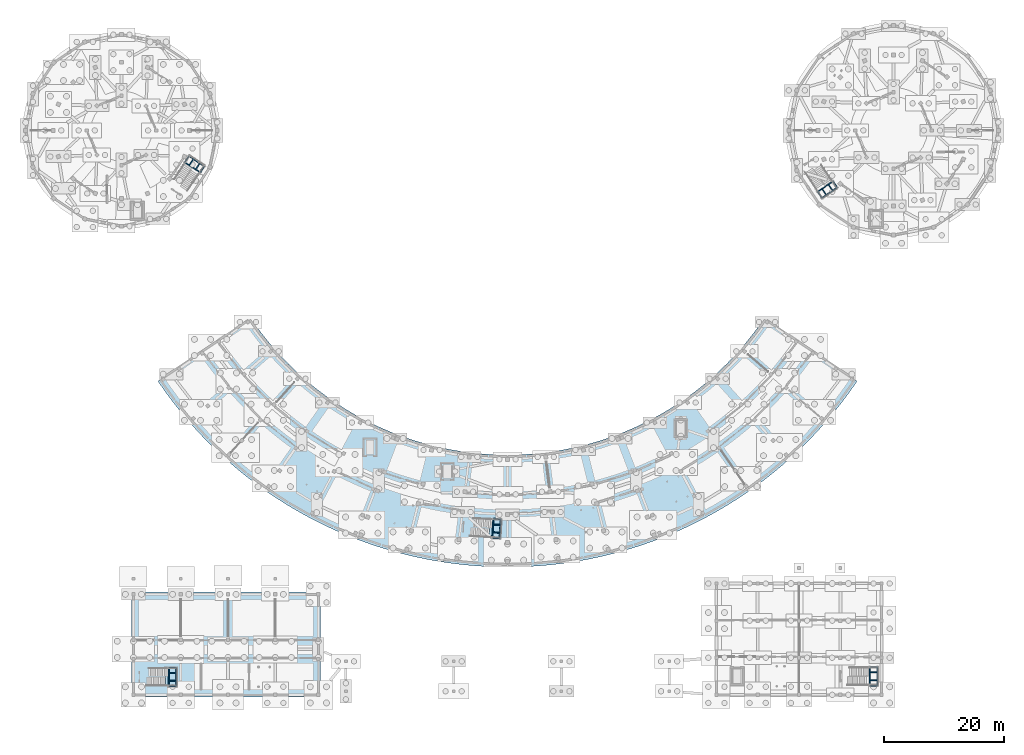
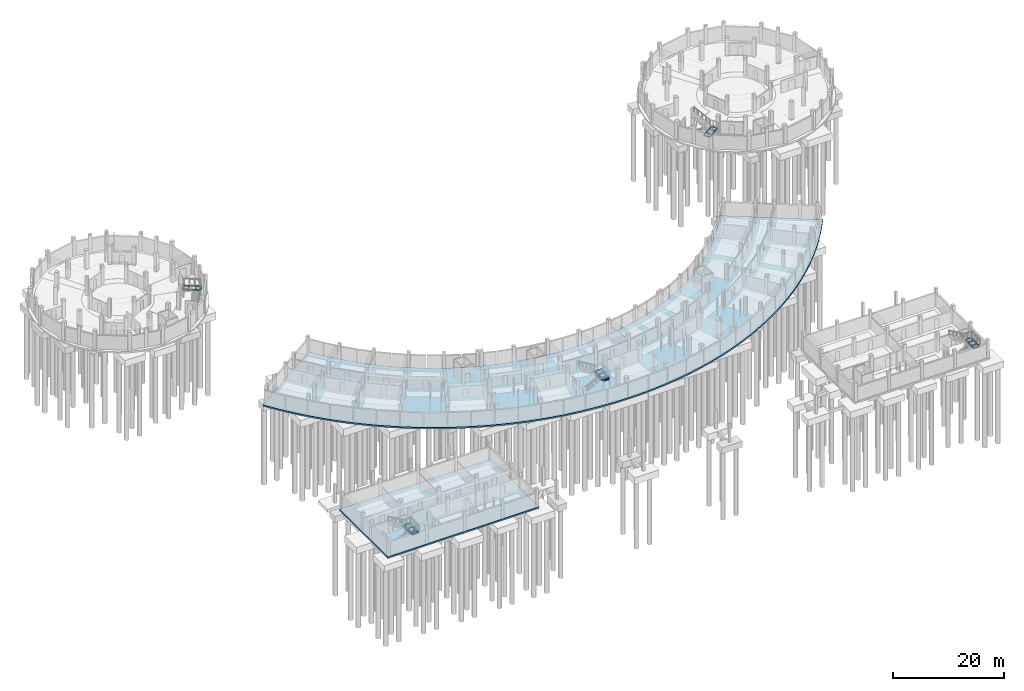
# One storey, part 33 of 58: 30 beams, 4 slabs, 2 elements without a shape of their own.
"""IFC4 building model written with IfcOpenShell, lengths in metres."""

from ifc_helpers import new_model, si_unit, direction, frame, origin, origin_2d, place, context, subcontext, project, spatial, polyline, i_section, outline, extrude, material, layer, layer_set, material_profile, profile_set, type_object, element, aggregate, save


model = new_model("IFC4")

# Units and contexts
model_context = context("Model", 3, precision=1e-05, world=origin(), true_north=direction((0.0, 1.0)))
body_context = subcontext(model_context, "Body", "Model", "MODEL_VIEW")
ifc_project = project(units=[si_unit("LENGTHUNIT", "METRE"), si_unit("AREAUNIT", "SQUARE_METRE"), si_unit("VOLUMEUNIT", "CUBIC_METRE"), si_unit("PLANEANGLEUNIT", "RADIAN"), si_unit("MASSUNIT", "GRAM", prefix="KILO")], contexts=[model_context])

# Site, building, storey
site_placement = place(None, origin())
site = spatial("IfcSite", under=ifc_project, at=site_placement, CompositionType="ELEMENT")
building_placement = place(site_placement, origin())
building = spatial("IfcBuilding", under=site, at=building_placement, Name="Caldaven Crescent School", CompositionType="ELEMENT")
storey_placement = place(building_placement, frame((0.0, 0.0, -4.080078125)))
storey = spatial("IfcBuildingStorey", under=building, at=storey_placement, Name="B1", CompositionType="ELEMENT", Elevation=-4.080078125)

# Beams
ifc_material_1 = material(Name="Steel ASTM A572 Grade 50", Category="steel")
ifc_material_profile_1 = material_profile(ifc_material_1, i_section(OverallWidth=0.14599609375, OverallDepth=0.258056640625, WebThickness=0.006103515625, FlangeThickness=0.009033203125, FilletRadius=0.011962890625, at=origin_2d()), Name="W250x33")
ifc_profile_set_1 = profile_set([ifc_material_profile_1], Name="Steel ASTM A572 Grade 50")
beam_type_1 = type_object("IfcBeamType", Name="BM-W25", PredefinedType="BEAM", material=ifc_profile_set_1)
beam_1_placement = place(storey_placement, frame((36.650146484375, 91.433349609375, 1.73095703125), z_axis=(0.555566749219, 0.831471940093, 0.0), x_axis=(-0.831471940093, 0.555566749219, 0.0)))
element("IfcBeam", 1, at=beam_1_placement, inside=storey, type_object=beam_type_1, Name="BM-STSIDE-STB1-B1-SL", PredefinedType="BEAM", context=body_context, shape_type="SweptSolid", body=[
    extrude(i_section(OverallWidth=0.14599609375, OverallDepth=0.258056640625, WebThickness=0.006103515625, FlangeThickness=0.009033203125, FilletRadius=0.011962890625, at=origin_2d()), origin(), (0.0, 0.0, 1.0), 1.2998046875),
])
beam_2_placement = place(storey_placement, frame((34.055908203125, 93.16650390625, 1.73095703125), z_axis=(0.555479999269, 0.831529897486, 0.0), x_axis=(-0.831529897486, 0.555479999269, 0.0)))
element("IfcBeam", 2, at=beam_2_placement, inside=storey, type_object=beam_type_1, Name="BM-STSIDE-STB1-B1-SR", PredefinedType="BEAM", context=body_context, shape_type="SweptSolid", body=[
    extrude(i_section(OverallWidth=0.14599609375, OverallDepth=0.258056640625, WebThickness=0.006103515625, FlangeThickness=0.009033203125, FilletRadius=0.011962890625, at=origin_2d()), origin(), (0.0, 0.0, 1.0), 1.300048828125),
])
for number, where, z_axis, x_axis, name in (
    (3, (36.666748046875, 91.458251953125, 1.73095703125), (-0.831472005412, 0.555566651461, 0.0), (-0.555566651461, -0.831472005412, 0.0), "BM-STLND-STB1-B1-IN"),
    (4, (37.361328125, 92.49755859375, 1.73095703125), (-0.831472005412, 0.555566651461, 0.0), (-0.555566651461, -0.831472005412, 0.0), "BM-STLND-STB1-B1-OUT"),
):
    element("IfcBeam", number, at=place(storey_placement, frame(where, z_axis=z_axis, x_axis=x_axis)), inside=storey, type_object=beam_type_1, Name=name, PredefinedType="BEAM", context=body_context, shape_type="SweptSolid", body=[
        extrude(i_section(OverallWidth=0.14599609375, OverallDepth=0.258056640625, WebThickness=0.006103515625, FlangeThickness=0.009033203125, FilletRadius=0.011962890625, at=origin_2d()), origin(), (0.0, 0.0, 1.0), 3.1201171875),
    ])
for number, where, z_axis, x_axis, name in (
    (5, (31.3798828125, 5.639892578125, 1.73095703125), (1.0, 0.0, 0.0), (0.0, 1.0, 0.0), "BM-STSIDE-STB2-B1-SL"),
    (6, (31.3798828125, 8.760009765625, 1.73095703125), (1.0, 0.0, 0.0), (0.0, 1.0, 0.0), "BM-STSIDE-STB2-B1-SR"),
):
    element("IfcBeam", number, at=place(storey_placement, frame(where, z_axis=z_axis, x_axis=x_axis)), inside=storey, type_object=beam_type_1, Name=name, PredefinedType="BEAM", context=body_context, shape_type="SweptSolid", body=[
        extrude(i_section(OverallWidth=0.14599609375, OverallDepth=0.258056640625, WebThickness=0.006103515625, FlangeThickness=0.009033203125, FilletRadius=0.011962890625, at=origin_2d()), origin(), (0.0, 0.0, 1.0), 1.300048828125),
    ])
for number, where, z_axis, x_axis, name in (
    (7, (31.409912109375, 5.639892578125, 1.73095703125), (0.0, 1.0, 0.0), (-1.0, 0.0, 0.0), "BM-STLND-STB2-B1-IN"),
    (8, (32.659912109375, 5.639892578125, 1.73095703125), (0.0, 1.0, 0.0), (-1.0, 0.0, 0.0), "BM-STLND-STB2-B1-OUT"),
):
    element("IfcBeam", number, at=place(storey_placement, frame(where, z_axis=z_axis, x_axis=x_axis)), inside=storey, type_object=beam_type_1, Name=name, PredefinedType="BEAM", context=body_context, shape_type="SweptSolid", body=[
        extrude(i_section(OverallWidth=0.14599609375, OverallDepth=0.258056640625, WebThickness=0.006103515625, FlangeThickness=0.009033203125, FilletRadius=0.011962890625, at=origin_2d()), origin(), (0.0, 0.0, 1.0), 3.1201171875),
    ])
for number, where, z_axis, x_axis, name in (
    (9, (85.420654296875, 30.405029296875, 1.73095703125), (0.998135706063, -0.061033697925, 0.0), (0.061033697925, 0.998135706063, 0.0), "BM-STSIDE-STB3-B1-SL"),
    (10, (85.6171875, 33.619140625, 1.73095703125), (0.998135706063, -0.061033697925, 0.0), (0.061033697925, 0.998135706063, 0.0), "BM-STSIDE-STB3-B1-SR"),
):
    element("IfcBeam", number, at=place(storey_placement, frame(where, z_axis=z_axis, x_axis=x_axis)), inside=storey, type_object=beam_type_1, Name=name, PredefinedType="BEAM", context=body_context, shape_type="SweptSolid", body=[
        extrude(i_section(OverallWidth=0.14599609375, OverallDepth=0.258056640625, WebThickness=0.006103515625, FlangeThickness=0.009033203125, FilletRadius=0.011962890625, at=origin_2d()), origin(), (0.0, 0.0, 1.0), 1.300048828125),
    ])
beam_3_placement = place(storey_placement, frame((85.45068359375, 30.4033203125, 1.73095703125), z_axis=(0.061037606425, 0.998135467059, 0.0), x_axis=(-0.998135467059, 0.061037606425, 0.0)))
element("IfcBeam", 11, at=beam_3_placement, inside=storey, type_object=beam_type_1, Name="BM-STLND-STB3-B1-IN", PredefinedType="BEAM", context=body_context, shape_type="SweptSolid", body=[
    extrude(i_section(OverallWidth=0.14599609375, OverallDepth=0.258056640625, WebThickness=0.006103515625, FlangeThickness=0.009033203125, FilletRadius=0.011962890625, at=origin_2d()), origin(), (0.0, 0.0, 1.0), 3.219970703125),
])
beam_4_placement = place(storey_placement, frame((86.6982421875, 30.326904296875, 1.73095703125), z_axis=(0.061108521771, 0.998131127942, 0.0), x_axis=(-0.998131127942, 0.061108521771, 0.0)))
element("IfcBeam", 12, at=beam_4_placement, inside=storey, type_object=beam_type_1, Name="BM-STLND-STB3-B1-OUT", PredefinedType="BEAM", context=body_context, shape_type="SweptSolid", body=[
    extrude(i_section(OverallWidth=0.14599609375, OverallDepth=0.258056640625, WebThickness=0.006103515625, FlangeThickness=0.009033203125, FilletRadius=0.011962890625, at=origin_2d()), origin(), (0.0, 0.0, 1.0), 3.22021484375),
])
for number, where, z_axis, x_axis, name in (
    (13, (148.47998046875, 5.739990234375, 1.73095703125), (1.0, 0.0, 0.0), (0.0, 1.0, 0.0), "BM-STSIDE-STB4-B1-SL"),
    (14, (148.47998046875, 8.860107421875, 1.73095703125), (1.0, 0.0, 0.0), (0.0, 1.0, 0.0), "BM-STSIDE-STB4-B1-SR"),
):
    element("IfcBeam", number, at=place(storey_placement, frame(where, z_axis=z_axis, x_axis=x_axis)), inside=storey, type_object=beam_type_1, Name=name, PredefinedType="BEAM", context=body_context, shape_type="SweptSolid", body=[
        extrude(i_section(OverallWidth=0.14599609375, OverallDepth=0.258056640625, WebThickness=0.006103515625, FlangeThickness=0.009033203125, FilletRadius=0.011962890625, at=origin_2d()), origin(), (0.0, 0.0, 1.0), 1.300048828125),
    ])
for number, where, z_axis, x_axis, name in (
    (15, (148.510009765625, 5.739990234375, 1.73095703125), (0.0, 1.0, 0.0), (-1.0, 0.0, 0.0), "BM-STLND-STB4-B1-IN"),
    (16, (149.760009765625, 5.739990234375, 1.73095703125), (0.0, 1.0, 0.0), (-1.0, 0.0, 0.0), "BM-STLND-STB4-B1-OUT"),
):
    element("IfcBeam", number, at=place(storey_placement, frame(where, z_axis=z_axis, x_axis=x_axis)), inside=storey, type_object=beam_type_1, Name=name, PredefinedType="BEAM", context=body_context, shape_type="SweptSolid", body=[
        extrude(i_section(OverallWidth=0.14599609375, OverallDepth=0.258056640625, WebThickness=0.006103515625, FlangeThickness=0.009033203125, FilletRadius=0.011962890625, at=origin_2d()), origin(), (0.0, 0.0, 1.0), 3.1201171875),
    ])
for number, where, z_axis, x_axis, name in (
    (17, (139.774658203125, 88.27734375, 1.73095703125), (0.555696576301, -0.831385178535, 0.0), (0.831385178535, 0.555696576301, 0.0), "BM-STSIDE-STB5-B1-SL"),
    (18, (142.368896484375, 90.0107421875, 1.73095703125), (0.555696576301, -0.831385178535, 0.0), (0.831385178535, 0.555696576301, 0.0), "BM-STSIDE-STB5-B1-SR"),
):
    element("IfcBeam", number, at=place(storey_placement, frame(where, z_axis=z_axis, x_axis=x_axis)), inside=storey, type_object=beam_type_1, Name=name, PredefinedType="BEAM", context=body_context, shape_type="SweptSolid", body=[
        extrude(i_section(OverallWidth=0.14599609375, OverallDepth=0.258056640625, WebThickness=0.006103515625, FlangeThickness=0.009033203125, FilletRadius=0.011962890625, at=origin_2d()), origin(), (0.0, 0.0, 1.0), 1.300048828125),
    ])
beam_5_placement = place(storey_placement, frame((139.79150390625, 88.25244140625, 1.73095703125), z_axis=(0.831447851219, 0.555602799403, 0.0), x_axis=(-0.555602799403, 0.831447851219, 0.0)))
element("IfcBeam", 19, at=beam_5_placement, inside=storey, type_object=beam_type_1, Name="BM-STLND-STB5-B1-IN", PredefinedType="BEAM", context=body_context, shape_type="SweptSolid", body=[
    extrude(i_section(OverallWidth=0.14599609375, OverallDepth=0.258056640625, WebThickness=0.006103515625, FlangeThickness=0.009033203125, FilletRadius=0.011962890625, at=origin_2d()), origin(), (0.0, 0.0, 1.0), 3.119873046875),
])
beam_6_placement = place(storey_placement, frame((140.48583984375, 87.213134765625, 1.73095703125), z_axis=(0.831472005412, 0.555566651461, 0.0), x_axis=(-0.555566651461, 0.831472005412, 0.0)))
element("IfcBeam", 20, at=beam_6_placement, inside=storey, type_object=beam_type_1, Name="BM-STLND-STB5-B1-OUT", PredefinedType="BEAM", context=body_context, shape_type="SweptSolid", body=[
    extrude(i_section(OverallWidth=0.14599609375, OverallDepth=0.258056640625, WebThickness=0.006103515625, FlangeThickness=0.009033203125, FilletRadius=0.011962890625, at=origin_2d()), origin(), (0.0, 0.0, 1.0), 3.1201171875),
])
ifc_material_profile_2 = material_profile(ifc_material_1, i_section(OverallWidth=0.14599609375, OverallDepth=0.258056640625, WebThickness=0.006103515625, FlangeThickness=0.009033203125, FilletRadius=0.011962890625, at=origin_2d()), Name="W250x33")
ifc_profile_set_2 = profile_set([ifc_material_profile_2], Name="Steel ASTM A572 Grade 50")
beam_type_2 = type_object("IfcBeamType", Name="LN-W25", PredefinedType="LINTEL", material=ifc_profile_set_2)
for number, where, z_axis, x_axis, name in (
    (21, (35.95458984375, 92.0302734375, 1.73095703125), (0.555527009533, 0.831498491688, 0.0), (-0.831498491688, 0.555527009533, 0.0), "BM-STJST-STB1-B1-JL"),
    (22, (34.873779296875, 92.75244140625, 1.73095703125), (0.555527009533, 0.831498491688, 0.0), (-0.831498491688, 0.555527009533, 0.0), "BM-STJST-STB1-B1-JR"),
):
    element("IfcBeam", number, at=place(storey_placement, frame(where, z_axis=z_axis, x_axis=x_axis)), inside=storey, type_object=beam_type_2, Name=name, PredefinedType="LINTEL", context=body_context, shape_type="SweptSolid", body=[
        extrude(i_section(OverallWidth=0.14599609375, OverallDepth=0.258056640625, WebThickness=0.006103515625, FlangeThickness=0.009033203125, FilletRadius=0.011962890625, at=origin_2d()), origin(), (0.0, 0.0, 1.0), 1.08984375),
    ])
for number, where, z_axis, x_axis, name in (
    (23, (31.489990234375, 6.550048828125, 1.73095703125), (1.0, 0.0, 0.0), (0.0, 1.0, 0.0), "BM-STJST-STB2-B1-JL"),
    (24, (31.489990234375, 7.85009765625, 1.73095703125), (1.0, 0.0, 0.0), (0.0, 1.0, 0.0), "BM-STJST-STB2-B1-JR"),
):
    element("IfcBeam", number, at=place(storey_placement, frame(where, z_axis=z_axis, x_axis=x_axis)), inside=storey, type_object=beam_type_2, Name=name, PredefinedType="LINTEL", context=body_context, shape_type="SweptSolid", body=[
        extrude(i_section(OverallWidth=0.14599609375, OverallDepth=0.258056640625, WebThickness=0.006103515625, FlangeThickness=0.009033203125, FilletRadius=0.011962890625, at=origin_2d()), origin(), (0.0, 0.0, 1.0), 1.090087890625),
    ])
for number, where, z_axis, x_axis, name in (
    (25, (85.589111328125, 31.356689453125, 1.73095703125), (0.998128523219, -0.061151051804, 0.0), (0.061151051804, 0.998128523219, 0.0), "BM-STJST-STB3-B1-JL"),
    (26, (85.66845703125, 32.654296875, 1.73095703125), (0.998128523219, -0.061151051804, 0.0), (0.061151051804, 0.998128523219, 0.0), "BM-STJST-STB3-B1-JR"),
    (27, (148.590087890625, 6.64990234375, 1.73095703125), (1.0, 0.0, 0.0), (0.0, 1.0, 0.0), "BM-STJST-STB4-B1-JL"),
    (28, (148.590087890625, 7.949951171875, 1.73095703125), (1.0, 0.0, 0.0), (0.0, 1.0, 0.0), "BM-STJST-STB4-B1-JR"),
):
    element("IfcBeam", number, at=place(storey_placement, frame(where, z_axis=z_axis, x_axis=x_axis)), inside=storey, type_object=beam_type_2, Name=name, PredefinedType="LINTEL", context=body_context, shape_type="SweptSolid", body=[
        extrude(i_section(OverallWidth=0.14599609375, OverallDepth=0.258056640625, WebThickness=0.006103515625, FlangeThickness=0.009033203125, FilletRadius=0.011962890625, at=origin_2d()), origin(), (0.0, 0.0, 1.0), 1.08984375),
    ])
for number, where, z_axis, x_axis, name in (
    (29, (140.592529296875, 88.691650390625, 1.73095703125), (0.555423553146, -0.831567601948, 0.0), (0.831567601948, 0.555423553146, 0.0), "BM-STJST-STB5-B1-JL"),
    (30, (141.67333984375, 89.413818359375, 1.73095703125), (0.555681853883, -0.831395018788, 0.0), (0.831395018788, 0.555681853883, 0.0), "BM-STJST-STB5-B1-JR"),
):
    element("IfcBeam", number, at=place(storey_placement, frame(where, z_axis=z_axis, x_axis=x_axis)), inside=storey, type_object=beam_type_2, Name=name, PredefinedType="LINTEL", context=body_context, shape_type="SweptSolid", body=[
        extrude(i_section(OverallWidth=0.14599609375, OverallDepth=0.258056640625, WebThickness=0.006103515625, FlangeThickness=0.009033203125, FilletRadius=0.011962890625, at=origin_2d()), origin(), (0.0, 0.0, 1.0), 1.090087890625),
    ])

# Slabs
ifc_material_2 = material(Name="Concrete C30/37", Category="concrete")
ifc_layer_1 = layer(ifc_material_2, 0.300048828125)
ifc_layer_set_1 = layer_set([ifc_layer_1], Name="Concrete C30/37")
slab_type_1 = type_object("IfcSlabType", Name="SLB-BS1", PredefinedType="BASESLAB", material=ifc_layer_set_1)
slab_1_placement = place(storey_placement, frame((0.0, 0.0, -0.2998046875)))
element("IfcSlab", 31, at=slab_1_placement, inside=storey, type_object=slab_type_1, Name="SLB-V4S-B1", PredefinedType="BASESLAB", context=body_context, shape_type="SweptSolid", body=[
    extrude(outline(polyline([(25.14990234375, 3.85009765625), (56.75, 3.85009765625), (56.75, 21.35009765625), (25.14990234375, 21.35009765625), (25.14990234375, 3.85009765625)])), origin(), (0.0, 0.0, 1.0), 0.2998046875),
])
slab_2_placement = place(storey_placement, frame((0.0, 0.0, -0.2998046875)))
element("IfcSlab", 32, at=slab_2_placement, inside=storey, type_object=slab_type_1, Name="SLB-CRESC-B1", PredefinedType="BASESLAB", context=body_context, shape_type="SweptSolid", body=[
    extrude(outline(polyline([(29.59423828125, 56.60498046875), (30.290771484375, 55.591552734375), (31.004638671875, 54.590576171875), (31.736083984375, 53.60205078125), (32.484619140625, 52.626708984375), (33.25, 51.664306640625), (34.0322265625, 50.715576171875), (34.830810546875, 49.78076171875), (35.6455078125, 48.85986328125), (36.47607421875, 47.953125), (37.322509765625, 47.061279296875), (38.184326171875, 46.184326171875), (39.061279296875, 45.322509765625), (39.953125, 44.47607421875), (40.85986328125, 43.6455078125), (41.78076171875, 42.830810546875), (42.715576171875, 42.0322265625), (43.664306640625, 41.25), (44.626708984375, 40.484619140625), (45.60205078125, 39.736083984375), (46.590576171875, 39.004638671875), (47.591552734375, 38.290771484375), (48.60498046875, 37.59423828125), (49.630126953125, 36.915771484375), (50.667236328125, 36.255126953125), (51.715576171875, 35.612548828125), (52.77490234375, 34.988525390625), (53.84521484375, 34.383056640625), (54.92578125, 33.79638671875), (56.016357421875, 33.228515625), (57.11669921875, 32.679931640625), (58.2265625, 32.150634765625), (59.345458984375, 31.640625), (60.472900390625, 31.150390625), (61.60888671875, 30.679931640625), (62.7529296875, 30.229248046875), (63.90478515625, 29.798583984375), (65.063720703125, 29.38818359375), (66.229736328125, 28.998046875), (67.40234375, 28.62841796875), (68.581298828125, 28.279052734375), (69.76611328125, 27.950439453125), (70.95654296875, 27.642578125), (72.152099609375, 27.355712890625), (73.3525390625, 27.089599609375), (74.5576171875, 26.844482421875), (75.7666015625, 26.620361328125), (76.979248046875, 26.417236328125), (78.1953125, 26.235595703125), (79.414306640625, 26.0751953125), (80.635986328125, 25.93603515625), (81.85986328125, 25.818115234375), (83.085693359375, 25.7216796875), (84.31298828125, 25.646484375), (85.541259765625, 25.593017578125), (86.7705078125, 25.560791015625), (88.0, 25.550048828125), (89.2294921875, 25.560791015625), (90.458740234375, 25.593017578125), (91.68701171875, 25.646484375), (92.914306640625, 25.7216796875), (94.14013671875, 25.818115234375), (95.364013671875, 25.93603515625), (96.585693359375, 26.0751953125), (97.8046875, 26.235595703125), (99.020751953125, 26.417236328125), (100.2333984375, 26.620361328125), (101.4423828125, 26.844482421875), (102.6474609375, 27.089599609375), (103.847900390625, 27.355712890625), (105.04345703125, 27.642578125), (106.23388671875, 27.950439453125), (107.418701171875, 28.279052734375), (108.59765625, 28.62841796875), (109.770263671875, 28.998046875), (110.936279296875, 29.38818359375), (112.09521484375, 29.798583984375), (113.2470703125, 30.229248046875), (114.39111328125, 30.679931640625), (115.527099609375, 31.150390625), (116.654541015625, 31.640625), (117.7734375, 32.150634765625), (118.88330078125, 32.679931640625), (119.983642578125, 33.228515625), (121.07421875, 33.79638671875), (122.15478515625, 34.383056640625), (123.22509765625, 34.988525390625), (124.284423828125, 35.612548828125), (125.332763671875, 36.255126953125), (126.369873046875, 36.915771484375), (127.39501953125, 37.59423828125), (128.408447265625, 38.290771484375), (129.409423828125, 39.004638671875), (130.39794921875, 39.736083984375), (131.373291015625, 40.484619140625), (132.335693359375, 41.25), (133.284423828125, 42.0322265625), (134.21923828125, 42.830810546875), (135.14013671875, 43.6455078125), (136.046875, 44.47607421875), (136.938720703125, 45.322509765625), (137.815673828125, 46.184326171875), (138.677490234375, 47.061279296875), (139.52392578125, 47.953125), (140.3544921875, 48.85986328125), (141.169189453125, 49.78076171875), (141.9677734375, 50.715576171875), (142.75, 51.664306640625), (143.515380859375, 52.626708984375), (144.263916015625, 53.60205078125), (144.995361328125, 54.590576171875), (145.709228515625, 55.591552734375), (146.40576171875, 56.60498046875), (130.861328125, 67.08984375), (130.35009765625, 66.34619140625), (129.826171875, 65.611572265625), (129.28955078125, 64.88623046875), (128.740234375, 64.17041015625), (128.178466796875, 63.464111328125), (127.6044921875, 62.767822265625), (127.0185546875, 62.081787109375), (126.420654296875, 61.406005859375), (125.81103515625, 60.74072265625), (125.18994140625, 60.086181640625), (124.557373046875, 59.442626953125), (123.913818359375, 58.81005859375), (123.25927734375, 58.18896484375), (122.593994140625, 57.579345703125), (121.918212890625, 56.9814453125), (121.232177734375, 56.3955078125), (120.535888671875, 55.821533203125), (119.82958984375, 55.259765625), (119.11376953125, 54.71044921875), (118.388427734375, 54.173828125), (117.65380859375, 53.64990234375), (116.91015625, 53.138671875), (116.157958984375, 52.640625), (115.396728515625, 52.156005859375), (114.62744140625, 51.6845703125), (113.85009765625, 51.2265625), (113.064697265625, 50.7822265625), (112.271728515625, 50.3515625), (111.47119140625, 49.93505859375), (110.663818359375, 49.5322265625), (109.849365234375, 49.143798828125), (109.0283203125, 48.769775390625), (108.20068359375, 48.409912109375), (107.3671875, 48.064697265625), (106.527587890625, 47.73388671875), (105.682373046875, 47.41796875), (104.831787109375, 47.11669921875), (103.97607421875, 46.830322265625), (103.11572265625, 46.55908203125), (102.25048828125, 46.302734375), (101.380859375, 46.0615234375), (100.50732421875, 45.835693359375), (99.6298828125, 45.625), (98.7490234375, 45.4296875), (97.86474609375, 45.249755859375), (96.9775390625, 45.08544921875), (96.087646484375, 44.9365234375), (95.1953125, 44.80322265625), (94.300537109375, 44.685302734375), (93.404052734375, 44.583251953125), (92.505859375, 44.496826171875), (91.6064453125, 44.426025390625), (90.705810546875, 44.370849609375), (89.80419921875, 44.33154296875), (88.90234375, 44.307861328125), (88.0, 44.300048828125), (87.09765625, 44.307861328125), (86.19580078125, 44.33154296875), (85.294189453125, 44.370849609375), (84.3935546875, 44.426025390625), (83.494140625, 44.496826171875), (82.595947265625, 44.583251953125), (81.699462890625, 44.685302734375), (80.8046875, 44.80322265625), (79.912353515625, 44.9365234375), (79.0224609375, 45.08544921875), (78.13525390625, 45.249755859375), (77.2509765625, 45.4296875), (76.3701171875, 45.625), (75.49267578125, 45.835693359375), (74.619140625, 46.0615234375), (73.74951171875, 46.302734375), (72.88427734375, 46.55908203125), (72.02392578125, 46.830322265625), (71.168212890625, 47.11669921875), (70.317626953125, 47.41796875), (69.472412109375, 47.73388671875), (68.6328125, 48.064697265625), (67.79931640625, 48.409912109375), (66.9716796875, 48.769775390625), (66.150634765625, 49.143798828125), (65.336181640625, 49.5322265625), (64.52880859375, 49.93505859375), (63.728271484375, 50.3515625), (62.935302734375, 50.7822265625), (62.14990234375, 51.2265625), (61.37255859375, 51.6845703125), (60.603271484375, 52.156005859375), (59.842041015625, 52.640625), (59.08984375, 53.138671875), (58.34619140625, 53.64990234375), (57.611572265625, 54.173828125), (56.88623046875, 54.71044921875), (56.17041015625, 55.259765625), (55.464111328125, 55.821533203125), (54.767822265625, 56.3955078125), (54.081787109375, 56.9814453125), (53.406005859375, 57.579345703125), (52.74072265625, 58.18896484375), (52.086181640625, 58.81005859375), (51.442626953125, 59.442626953125), (50.81005859375, 60.086181640625), (50.18896484375, 60.74072265625), (49.579345703125, 61.406005859375), (48.9814453125, 62.081787109375), (48.3955078125, 62.767822265625), (47.821533203125, 63.464111328125), (47.259765625, 64.17041015625), (46.71044921875, 64.88623046875), (46.173828125, 65.611572265625), (45.64990234375, 66.34619140625), (45.138671875, 67.08984375), (29.59423828125, 56.60498046875)])), origin(), (0.0, 0.0, 1.0), 0.2998046875),
])

# Stair, slab
ifc_material_3 = material(Name="Precast concrete C30/37", Category="concrete")
stair_type_1 = type_object("IfcStairType", Name="STR-S1", PredefinedType="TWO_STRAIGHT_RUN_STAIR", material=ifc_material_3)
stair_1_placement = place(storey_placement, origin())
stair_1 = element("IfcStair", 33, at=stair_1_placement, inside=storey, type_object=stair_type_1, Name="STAIR-STB2-B1", PredefinedType="TWO_STRAIGHT_RUN_STAIR")
ifc_layer_2 = layer(ifc_material_2, 0.179931640625)
ifc_layer_set_2 = layer_set([ifc_layer_2], Name="Concrete C30/37")
slab_type_2 = type_object("IfcSlabType", Name="SLB-LND1", PredefinedType="LANDING", material=ifc_layer_set_2)
slab_3_placement = place(storey_placement, frame((0.0, 0.0, 1.860107421875)))
slab_3 = element("IfcSlab", 34, at=slab_3_placement, type_object=slab_type_2, Name="STB2-B1 landing 1", PredefinedType="LANDING", context=body_context, shape_type="SweptSolid", body=[
    extrude(outline(polyline([(30.85205078125, 5.68994140625), (32.840087890625, 5.68994140625), (32.840087890625, 8.7099609375), (30.85205078125, 8.7099609375), (30.85205078125, 5.68994140625)])), origin(), (0.0, 0.0, 1.0), 0.179931640625),
])
aggregate(stair_1, [slab_3])

stair_type_2 = type_object("IfcStairType", Name="STR-S2", PredefinedType="TWO_STRAIGHT_RUN_STAIR", material=ifc_material_3)
stair_2_placement = place(storey_placement, origin())
stair_2 = element("IfcStair", 35, at=stair_2_placement, inside=storey, type_object=stair_type_2, Name="STAIR-STB3-B1", PredefinedType="TWO_STRAIGHT_RUN_STAIR")
slab_4_placement = place(storey_placement, frame((0.0, 0.0, 1.860107421875)))
slab_4 = element("IfcSlab", 36, at=slab_4_placement, type_object=slab_type_2, Name="STB3-B1 landing 1", PredefinedType="LANDING", context=body_context, shape_type="SweptSolid", body=[
    extrude(outline(polyline([(84.896728515625, 30.4873046875), (86.881103515625, 30.365966796875), (87.071533203125, 33.47998046875), (85.087158203125, 33.601318359375), (84.896728515625, 30.4873046875)])), origin(), (0.0, 0.0, 1.0), 0.179931640625),
])
aggregate(stair_2, [slab_4])

save(model, "model.ifc")
